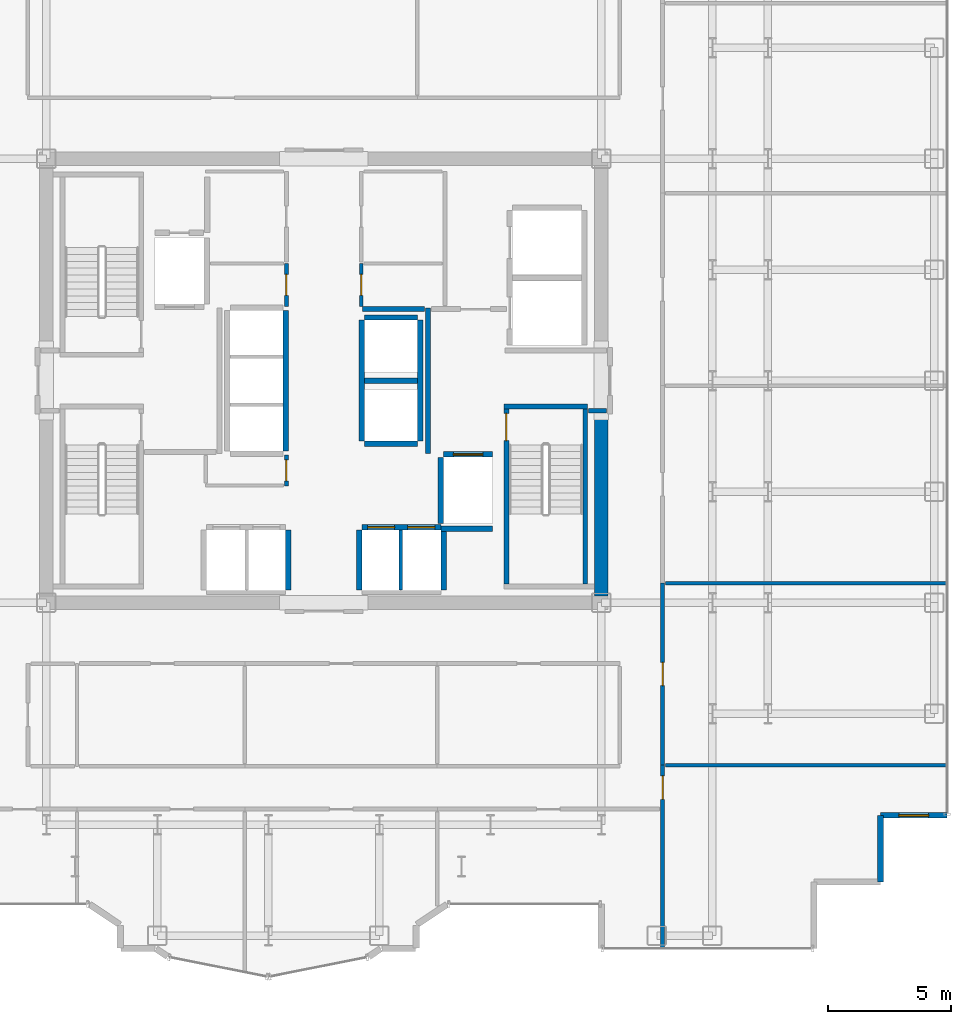
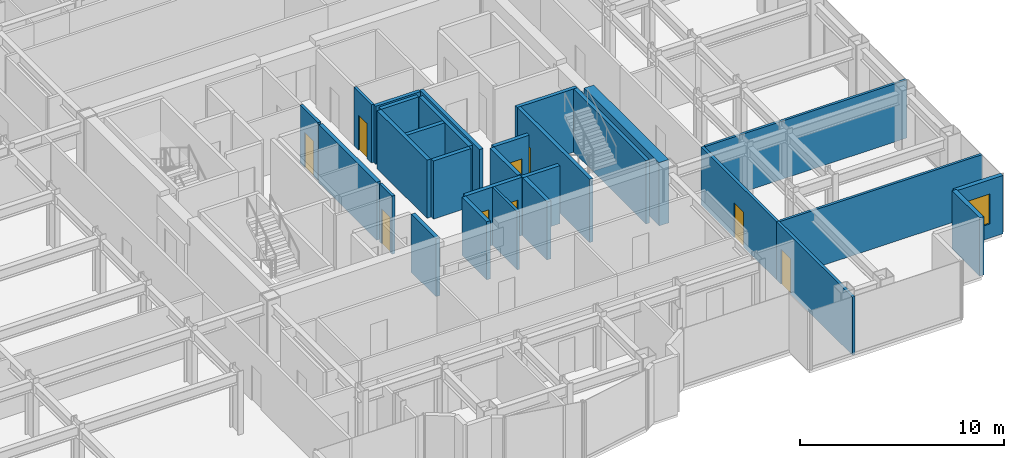
# One storey, part 19 of 23: 30 walls, 9 doors, 1 window, 10 openings.
"""IFC4 building model written with IfcOpenShell, lengths in metres."""

from ifc_helpers import new_model, si_unit, direction, frame, frame_2d, origin, place, context, subcontext, project, spatial, rectangle, extrude, source, transform, mapped, material, layer, layer_set, type_object, element, fill, save


model = new_model("IFC4")

# Units and contexts
model_context = context("Model", 3, precision=1e-05, world=origin(), true_north=direction((0.0, 1.0)))
body_context = subcontext(model_context, "Body", "Model", "MODEL_VIEW")
ifc_project = project(units=[si_unit("LENGTHUNIT", "METRE"), si_unit("AREAUNIT", "SQUARE_METRE"), si_unit("VOLUMEUNIT", "CUBIC_METRE"), si_unit("PLANEANGLEUNIT", "RADIAN"), si_unit("MASSUNIT", "GRAM", prefix="KILO")], contexts=[model_context])

# Site, building, storey
site_placement = place(None, origin())
site = spatial("IfcSite", under=ifc_project, at=site_placement, CompositionType="ELEMENT")
building_placement = place(site_placement, origin())
building = spatial("IfcBuilding", under=site, at=building_placement, Name="Nefas-Gora Pilgrimage Tower", CompositionType="ELEMENT")
storey_placement = place(building_placement, frame((0.0, 0.0, 198.199951171875)))
storey = spatial("IfcBuildingStorey", under=building, at=storey_placement, Name="L49", CompositionType="ELEMENT", Elevation=198.199951171875)

# Walls
ifc_material_1 = material(Name="Concrete C60/75", Category="concrete")
ifc_layer_1 = layer(ifc_material_1, 0.550048828125)
ifc_layer_set_1 = layer_set([ifc_layer_1], Name="Concrete C60/75")
wall_type_1 = type_object("IfcWallType", Name="SW-CORE-550", PredefinedType="SHEAR", material=ifc_layer_set_1)
shared_shape_1 = source(origin(), body_context, "Body", "SweptSolid", [
    extrude(rectangle(XDim=7.375, YDim=0.550048828125, at=frame_2d((3.6875, 0.0))), origin(), (0.0, 0.0, 1.0), 3.800048828125),
])
wall_1_placement = place(storey_placement, frame((11.25, -8.72509765625, 0.0), z_axis=(0.0, 0.0, 1.0), x_axis=(0.0, 1.0, 0.0)))
element("IfcWall", 1, at=wall_1_placement, inside=storey, type_object=wall_type_1, Name="L49 Core Shear Wall E-South", PredefinedType="SHEAR", context=body_context, shape_type="MappedRepresentation", body=[
    mapped(shared_shape_1, transform((0.0, 0.0, 0.0), x_axis=(1.0, 0.0, 0.0), y_axis=(0.0, 1.0, 0.0), z_axis=(0.0, 0.0, 1.0), scale=1.0)),
])
ifc_material_2 = material(Name="Precast concrete C45/55", Category="concrete")
ifc_layer_2 = layer(ifc_material_2, 0.239990234375)
ifc_layer_set_2 = layer_set([ifc_layer_2], Name="Precast concrete C45/55")
wall_type_2 = type_object("IfcWallType", Name="EW-SERR-240", PredefinedType="SHEAR", material=ifc_layer_set_2)
shared_shape_2 = source(origin(), body_context, "Body", "SweptSolid", [
    extrude(rectangle(XDim=2.699951171875, YDim=0.239990234375, at=frame_2d((1.35009765625, 0.0))), origin(), (0.0, 0.0, 1.0), 3.5),
])
wall_2_placement = place(storey_placement, frame((22.570068359375, -20.320068359375, 0.0), z_axis=(0.0, 0.0, 1.0), x_axis=(0.0, 1.0, 0.0)))
element("IfcWall", 2, at=wall_2_placement, inside=storey, type_object=wall_type_2, Name="L49 Serrated Corner Shear Pier Wall 4", PredefinedType="SHEAR", context=body_context, shape_type="MappedRepresentation", body=[
    mapped(shared_shape_2, transform((0.0, 0.0, 0.0), x_axis=(1.0, 0.0, 0.0), y_axis=(0.0, 1.0, 0.0), z_axis=(0.0, 0.0, 1.0), scale=1.0)),
])

# Wall, opening, window
wall_3_placement = place(storey_placement, frame((22.570068359375, -17.6201171875, 0.0), z_axis=(0.0, 0.0, 1.0), x_axis=(1.0, 0.0, 0.0)))
wall_3 = element("IfcWall", 3, at=wall_3_placement, inside=storey, type_object=wall_type_2, Name="L49 Serrated Corner Shear Pier Wall 5", PredefinedType="SHEAR", context=body_context, shape_type="MappedRepresentation", body=[
    mapped(shared_shape_2, transform((0.0, 0.0, 0.0), x_axis=(1.0, 0.0, 0.0), y_axis=(0.0, 1.0, 0.0), z_axis=(0.0, 0.0, 1.0), scale=1.0)),
])
opening_1_placement = place(wall_3_placement, frame((0.75, 0.0, 0.85009765625)))
opening_1 = element("IfcOpeningElement", 4, at=opening_1_placement, cuts=wall_3, Name="Opening W-V1", PredefinedType="OPENING", context=body_context, shape_type="SweptSolid", body=[
    extrude(rectangle(XDim=1.199951171875, YDim=1.800048828125, at=frame_2d((0.60009765625, 0.89990234375))), frame((0.0, 0.1298828125, 0.0), z_axis=(0.0, -1.0, 0.0), x_axis=(1.0, 0.0, 0.0)), (0.0, 0.0, 1.0), 0.260009765625),
])
ifc_material_3 = material(Name="Dark ceramic-fritted operable aluminium-glass window", Category="aluminium")
window_type = type_object("IfcWindowType", Name="WIN-VENT-1200x1800", PartitioningType="SINGLE_PANEL", PredefinedType="WINDOW", material=ifc_material_3)
shared_shape_3 = source(origin(), body_context, "Body", "SweptSolid", [
    extrude(rectangle(XDim=1.199951171875, YDim=1.800048828125, at=frame_2d((0.60009765625, 0.89990234375))), frame((0.0, 0.030029296875, 0.0), z_axis=(0.0, -1.0, 0.0), x_axis=(1.0, 0.0, 0.0)), (0.0, 0.0, 1.0), 0.06005859375),
])
window_placement = place(opening_1_placement, origin())
window = element("IfcWindow", 5, at=window_placement, inside=storey, type_object=window_type, Name="L49 Operable Parallel-Outswing Window 5", OverallHeight=1.800048828125, OverallWidth=1.199951171875, PartitioningType="SINGLE_PANEL", PredefinedType="WINDOW", context=body_context, shape_type="MappedRepresentation", body=[
    mapped(shared_shape_3, transform((0.0, 0.0, 0.0), x_axis=(1.0, 0.0, 0.0), y_axis=(0.0, 1.0, 0.0), z_axis=(0.0, 0.0, 1.0), scale=1.0)),
])
fill(opening_1, window)

# Wall
ifc_material_4 = material(Name="Concrete C45/55", Category="concrete")
ifc_layer_3 = layer(ifc_material_4, 0.199951171875)
ifc_layer_set_3 = layer_set([ifc_layer_3], Name="Concrete C45/55")
wall_type_3 = type_object("IfcWallType", Name="IW-STAIR-200", PredefinedType="SOLIDWALL", material=ifc_layer_set_3)
shared_shape_4 = source(origin(), body_context, "Body", "SweptSolid", [
    extrude(rectangle(XDim=3.39990234375, YDim=0.199951171875, at=frame_2d((1.699951171875, 0.0))), origin(), (0.0, 0.0, 1.0), 3.800048828125),
])
wall_4_placement = place(storey_placement, frame((7.300048828125, -1.050048828125, 0.0), z_axis=(0.0, 0.0, 1.0), x_axis=(1.0, 0.0, 0.0)))
element("IfcWall", 6, at=wall_4_placement, inside=storey, type_object=wall_type_3, Name="L49 Stairwell Shear Wall ST-02-near", PredefinedType="SOLIDWALL", context=body_context, shape_type="MappedRepresentation", body=[
    mapped(shared_shape_4, transform((0.0, 0.0, 0.0), x_axis=(1.0, 0.0, 0.0), y_axis=(0.0, 1.0, 0.0), z_axis=(0.0, 0.0, 1.0), scale=1.0)),
])

# Wall, opening, door
shared_shape_5 = source(origin(), body_context, "Body", "SweptSolid", [
    extrude(rectangle(XDim=7.10009765625, YDim=0.199951171875, at=frame_2d((3.550048828125, 0.0))), origin(), (0.0, 0.0, 1.0), 3.800048828125),
])
wall_5_placement = place(storey_placement, frame((7.39990234375, -1.14990234375, 0.0), z_axis=(0.0, 0.0, 1.0), x_axis=(0.0, -1.0, 0.0)))
wall_5 = element("IfcWall", 7, at=wall_5_placement, inside=storey, type_object=wall_type_3, Name="L49 Stairwell Shear Wall ST-02-left", PredefinedType="SOLIDWALL", context=body_context, shape_type="MappedRepresentation", body=[
    mapped(shared_shape_5, transform((0.0, 0.0, 0.0), x_axis=(1.0, 0.0, 0.0), y_axis=(0.0, 1.0, 0.0), z_axis=(0.0, 0.0, 1.0), scale=1.0)),
])
opening_2_placement = place(wall_5_placement, frame((0.179931640625, 0.0, 0.0)))
opening_2 = element("IfcOpeningElement", 8, at=opening_2_placement, cuts=wall_5, Name="Opening ID-ST1", PredefinedType="OPENING", context=body_context, shape_type="SweptSolid", body=[
    extrude(rectangle(XDim=1.10009765625, YDim=2.14990234375, at=frame_2d((0.550048828125, 1.074951171875))), frame((0.0, 0.10986328125, 0.0), z_axis=(0.0, -1.0, 0.0), x_axis=(1.0, 0.0, 0.0)), (0.0, 0.0, 1.0), 0.219970703125),
])
ifc_material_5 = material(Name="Painted galvanised steel fire stair door", Category="steel")
door_type_1 = type_object("IfcDoorType", Name="DR-INT-STAIR-1100", OperationType="NOTDEFINED", PredefinedType="DOOR", material=ifc_material_5)
shared_shape_6 = source(origin(), body_context, "Body", "SweptSolid", [
    extrude(rectangle(XDim=1.10009765625, YDim=2.14990234375, at=frame_2d((0.550048828125, 1.074951171875))), frame((0.0, 0.02490234375, 0.0), z_axis=(0.0, -1.0, 0.0), x_axis=(1.0, 0.0, 0.0)), (0.0, 0.0, 1.0), 0.050048828125),
])
door_1_placement = place(opening_2_placement, origin())
door_1 = element("IfcDoor", 9, at=door_1_placement, inside=storey, type_object=door_type_1, Name="L49 Protected Exit Stair Door ST-02", OperationType="SINGLE_SWING_RIGHT", OverallHeight=2.14990234375, OverallWidth=1.10009765625, PredefinedType="DOOR", context=body_context, shape_type="MappedRepresentation", body=[
    mapped(shared_shape_6, transform((0.0, 0.0, 0.0), x_axis=(1.0, 0.0, 0.0), y_axis=(0.0, 1.0, 0.0), z_axis=(0.0, 0.0, 1.0), scale=1.0)),
])
fill(opening_2, door_1)

# Wall
wall_6_placement = place(storey_placement, frame((10.60009765625, -1.14990234375, 0.0), z_axis=(0.0, 0.0, 1.0), x_axis=(0.0, -1.0, 0.0)))
element("IfcWall", 10, at=wall_6_placement, inside=storey, type_object=wall_type_3, Name="L49 Stairwell Shear Wall ST-02-right", PredefinedType="SOLIDWALL", context=body_context, shape_type="MappedRepresentation", body=[
    mapped(shared_shape_5, transform((0.0, 0.0, 0.0), x_axis=(1.0, 0.0, 0.0), y_axis=(0.0, 1.0, 0.0), z_axis=(0.0, 0.0, 1.0), scale=1.0)),
])

# Wall, opening, door
ifc_material_6 = material(Name="Concrete C40/50", Category="concrete")
ifc_layer_4 = layer(ifc_material_6, 0.219970703125)
ifc_layer_set_4 = layer_set([ifc_layer_4], Name="Concrete C40/50")
wall_type_4 = type_object("IfcWallType", Name="IW-SHAFT-220", PredefinedType="SOLIDWALL", material=ifc_layer_set_4)
shared_shape_7 = source(origin(), body_context, "Body", "SweptSolid", [
    extrude(rectangle(XDim=2.0, YDim=0.219970703125, at=frame_2d((1.0, 0.0))), origin(), (0.0, 0.0, 1.0), 3.485107421875),
])
wall_7_placement = place(storey_placement, frame((6.85009765625, -2.989990234375, 0.0), z_axis=(0.0, 0.0, 1.0), x_axis=(-1.0, 0.0, 0.0)))
wall_7 = element("IfcWall", 11, at=wall_7_placement, inside=storey, type_object=wall_type_4, Name="L49 Hoistway Wall FFL-02-N", PredefinedType="SOLIDWALL", context=body_context, shape_type="MappedRepresentation", body=[
    mapped(shared_shape_7, transform((0.0, 0.0, 0.0), x_axis=(1.0, 0.0, 0.0), y_axis=(0.0, 1.0, 0.0), z_axis=(0.0, 0.0, 1.0), scale=1.0)),
])
opening_3_placement = place(wall_7_placement, frame((0.39990234375, 0.0, 0.0)))
opening_3 = element("IfcOpeningElement", 12, at=opening_3_placement, cuts=wall_7, Name="Opening LD-FF", PredefinedType="OPENING", context=body_context, shape_type="SweptSolid", body=[
    extrude(rectangle(XDim=1.199951171875, YDim=2.199951171875, at=frame_2d((0.60009765625, 1.10009765625))), frame((0.0, 0.119873046875, 0.0), z_axis=(0.0, -1.0, 0.0), x_axis=(1.0, 0.0, 0.0)), (0.0, 0.0, 1.0), 0.239990234375),
])
ifc_material_7 = material(Name="Fire-service sliding lift landing door")
door_type_2 = type_object("IfcDoorType", Name="DR-LIFT-FSAE-1200", OperationType="SLIDING_TO_LEFT", PredefinedType="DOOR", material=ifc_material_7)
shared_shape_8 = source(origin(), body_context, "Body", "SweptSolid", [
    extrude(rectangle(XDim=1.199951171875, YDim=2.199951171875, at=frame_2d((0.60009765625, 1.10009765625))), frame((0.0, 0.02490234375, 0.0), z_axis=(0.0, -1.0, 0.0), x_axis=(1.0, 0.0, 0.0)), (0.0, 0.0, 1.0), 0.050048828125),
])
door_2_placement = place(opening_3_placement, origin())
door_2 = element("IfcDoor", 13, at=door_2_placement, inside=storey, type_object=door_type_2, Name="L49 Sliding Lift Landing Door FFL-02", OperationType="SLIDING_TO_LEFT", OverallHeight=2.199951171875, OverallWidth=1.199951171875, PredefinedType="DOOR", context=body_context, shape_type="MappedRepresentation", body=[
    mapped(shared_shape_8, transform((0.0, 0.0, 0.0), x_axis=(1.0, 0.0, 0.0), y_axis=(0.0, 1.0, 0.0), z_axis=(0.0, 0.0, 1.0), scale=1.0)),
])
fill(opening_3, door_2)

# Wall
shared_shape_9 = source(origin(), body_context, "Body", "SweptSolid", [
    extrude(rectangle(XDim=2.679931640625, YDim=0.219970703125, at=frame_2d((1.33984375, 0.0))), origin(), (0.0, 0.0, 1.0), 3.485107421875),
])
wall_8_placement = place(storey_placement, frame((4.739990234375, -3.110107421875, 0.0), z_axis=(0.0, 0.0, 1.0), x_axis=(0.0, -1.0, 0.0)))
element("IfcWall", 14, at=wall_8_placement, inside=storey, type_object=wall_type_4, Name="L49 Hoistway Wall FFL-02-W", PredefinedType="SOLIDWALL", context=body_context, shape_type="MappedRepresentation", body=[
    mapped(shared_shape_9, transform((0.0, 0.0, 0.0), x_axis=(1.0, 0.0, 0.0), y_axis=(0.0, 1.0, 0.0), z_axis=(0.0, 0.0, 1.0), scale=1.0)),
])

# Wall, openings, doors
shared_shape_10 = source(origin(), body_context, "Body", "SweptSolid", [
    extrude(rectangle(XDim=3.199951171875, YDim=0.219970703125, at=frame_2d((1.60009765625, 0.0))), origin(), (0.0, 0.0, 1.0), 3.485107421875),
])
wall_9_placement = place(storey_placement, frame((4.75, -5.93994140625, 0.0), z_axis=(0.0, 0.0, 1.0), x_axis=(-1.0, 0.0, 0.0)))
wall_9 = element("IfcWall", 15, at=wall_9_placement, inside=storey, type_object=wall_type_4, Name="L49 Hoistway Wall PL2-E-N", PredefinedType="SOLIDWALL", context=body_context, shape_type="MappedRepresentation", body=[
    mapped(shared_shape_10, transform((0.0, 0.0, 0.0), x_axis=(1.0, 0.0, 0.0), y_axis=(0.0, 1.0, 0.0), z_axis=(0.0, 0.0, 1.0), scale=1.0)),
])
opening_4_placement = place(wall_9_placement, frame((1.875, 0.0, 0.0)))
opening_4 = element("IfcOpeningElement", 16, at=opening_4_placement, cuts=wall_9, Name="Opening LD-01", PredefinedType="OPENING", context=body_context, shape_type="SweptSolid", body=[
    extrude(rectangle(XDim=1.10009765625, YDim=2.199951171875, at=frame_2d((0.550048828125, 1.10009765625))), frame((0.0, 0.119873046875, 0.0), z_axis=(0.0, -1.0, 0.0), x_axis=(1.0, 0.0, 0.0)), (0.0, 0.0, 1.0), 0.239990234375),
])
opening_5_placement = place(wall_9_placement, frame((0.25, 0.0, 0.0)))
opening_5 = element("IfcOpeningElement", 17, at=opening_5_placement, cuts=wall_9, Name="Opening LD-01", PredefinedType="OPENING", context=body_context, shape_type="SweptSolid", body=[
    extrude(rectangle(XDim=1.10009765625, YDim=2.199951171875, at=frame_2d((0.550048828125, 1.10009765625))), frame((0.0, 0.119873046875, 0.0), z_axis=(0.0, -1.0, 0.0), x_axis=(1.0, 0.0, 0.0)), (0.0, 0.0, 1.0), 0.239990234375),
])
ifc_material_8 = material(Name="Brushed stainless sliding lift landing door")
door_type_3 = type_object("IfcDoorType", Name="DR-LIFT-PASS-1100", OperationType="DOUBLE_DOOR_SLIDING", PredefinedType="DOOR", material=ifc_material_8)
shared_shape_11 = source(origin(), body_context, "Body", "SweptSolid", [
    extrude(rectangle(XDim=1.10009765625, YDim=2.199951171875, at=frame_2d((0.550048828125, 1.10009765625))), frame((0.0, 0.02490234375, 0.0), z_axis=(0.0, -1.0, 0.0), x_axis=(1.0, 0.0, 0.0)), (0.0, 0.0, 1.0), 0.050048828125),
])
door_3_placement = place(opening_4_placement, origin())
door_3 = element("IfcDoor", 18, at=door_3_placement, inside=storey, type_object=door_type_3, Name="L49 Sliding Lift Landing Door PL2-03", OperationType="DOUBLE_DOOR_SLIDING", OverallHeight=2.199951171875, OverallWidth=1.10009765625, PredefinedType="DOOR", context=body_context, shape_type="MappedRepresentation", body=[
    mapped(shared_shape_11, transform((0.0, 0.0, 0.0), x_axis=(1.0, 0.0, 0.0), y_axis=(0.0, 1.0, 0.0), z_axis=(0.0, 0.0, 1.0), scale=1.0)),
])
fill(opening_4, door_3)
door_4_placement = place(opening_5_placement, origin())
door_4 = element("IfcDoor", 19, at=door_4_placement, inside=storey, type_object=door_type_3, Name="L49 Sliding Lift Landing Door PL2-04", OperationType="DOUBLE_DOOR_SLIDING", OverallHeight=2.199951171875, OverallWidth=1.10009765625, PredefinedType="DOOR", context=body_context, shape_type="MappedRepresentation", body=[
    mapped(shared_shape_11, transform((0.0, 0.0, 0.0), x_axis=(1.0, 0.0, 0.0), y_axis=(0.0, 1.0, 0.0), z_axis=(0.0, 0.0, 1.0), scale=1.0)),
])
fill(opening_5, door_4)

# Walls
shared_shape_12 = source(origin(), body_context, "Body", "SweptSolid", [
    extrude(rectangle(XDim=2.429931640625, YDim=0.219970703125, at=frame_2d((1.21484375, 0.0))), origin(), (0.0, 0.0, 1.0), 3.485107421875),
])
for number, where, z_axis, x_axis, name in (
    (20, (-1.43994140625, -8.489990234375, 0.0), (0.0, 0.0, 1.0), (0.0, 1.0, 0.0), "L49 Hoistway Wall PL2-W-E"),
    (21, (1.43994140625, -6.06005859375, 0.0), (0.0, 0.0, 1.0), (0.0, -1.0, 0.0), "L49 Hoistway Wall PL2-E-W"),
    (22, (4.860107421875, -8.489990234375, 0.0), (0.0, 0.0, 1.0), (0.0, 1.0, 0.0), "L49 Hoistway Wall PL2-E-E"),
):
    element("IfcWall", number, at=place(storey_placement, frame(where, z_axis=z_axis, x_axis=x_axis)), inside=storey, type_object=wall_type_4, Name=name, PredefinedType="SOLIDWALL", context=body_context, shape_type="MappedRepresentation", body=[
        mapped(shared_shape_12, transform((0.0, 0.0, 0.0), x_axis=(1.0, 0.0, 0.0), y_axis=(0.0, 1.0, 0.0), z_axis=(0.0, 0.0, 1.0), scale=1.0)),
    ])
ifc_material_9 = material(Name="Gypsum twin-stud partition")
ifc_layer_5 = layer(ifc_material_9, 0.139892578125)
ifc_layer_set_5 = layer_set([ifc_layer_5], Name="Gypsum twin-stud partition")
wall_type_5 = type_object("IfcWallType", Name="IW-UNIT-140", PredefinedType="PARTITIONING", material=ifc_layer_set_5)
shared_shape_13 = source(origin(), body_context, "Body", "SweptSolid", [
    extrude(rectangle(XDim=2.429931640625, YDim=0.139892578125, at=frame_2d((1.21484375, 0.0))), origin(), (0.0, 0.0, 1.0), 3.485107421875),
])
wall_10_placement = place(storey_placement, frame((3.125, -8.489990234375, 0.0), z_axis=(0.0, 0.0, 1.0), x_axis=(0.0, 1.0, 0.0)))
element("IfcWall", 23, at=wall_10_placement, inside=storey, type_object=wall_type_5, Name="L49 Hoistway Wall PL2-E-DIV", PredefinedType="PARTITIONING", context=body_context, shape_type="MappedRepresentation", body=[
    mapped(shared_shape_13, transform((0.0, 0.0, 0.0), x_axis=(1.0, 0.0, 0.0), y_axis=(0.0, 1.0, 0.0), z_axis=(0.0, 0.0, 1.0), scale=1.0)),
])
shared_shape_14 = source(origin(), body_context, "Body", "SweptSolid", [
    extrude(rectangle(XDim=5.7001953125, YDim=0.219970703125, at=frame_2d((2.85009765625, 0.0))), origin(), (0.0, 0.0, 1.0), 3.485107421875),
])
wall_11_placement = place(storey_placement, frame((-1.5400390625, -2.85009765625, 0.0), z_axis=(0.0, 0.0, 1.0), x_axis=(0.0, 1.0, 0.0)))
element("IfcWall", 24, at=wall_11_placement, inside=storey, type_object=wall_type_4, Name="L49 Hoistway Wall PL3-01-03-E", PredefinedType="SOLIDWALL", context=body_context, shape_type="MappedRepresentation", body=[
    mapped(shared_shape_14, transform((0.0, 0.0, 0.0), x_axis=(1.0, 0.0, 0.0), y_axis=(0.0, 1.0, 0.0), z_axis=(0.0, 0.0, 1.0), scale=1.0)),
])
shared_shape_15 = source(origin(), body_context, "Body", "SweptSolid", [
    extrude(rectangle(XDim=2.130126953125, YDim=0.219970703125, at=frame_2d((1.06494140625, 0.0))), origin(), (0.0, 0.0, 1.0), 3.485107421875),
])
for number, where, z_axis, x_axis, name in (
    (25, (1.659912109375, -2.56005859375, 0.0), (0.0, 0.0, 1.0), (1.0, 0.0, 0.0), "L49 Hoistway Wall OBS-01-S"),
    (26, (1.659912109375, 0.0, 0.0), (0.0, 0.0, 1.0), (1.0, 0.0, 0.0), "L49 Hoistway Wall OBS-01-02-DIV"),
    (27, (3.7900390625, 2.56005859375, 0.0), (0.0, 0.0, 1.0), (-1.0, 0.0, 0.0), "L49 Hoistway Wall OBS-02-N"),
):
    element("IfcWall", number, at=place(storey_placement, frame(where, z_axis=z_axis, x_axis=x_axis)), inside=storey, type_object=wall_type_4, Name=name, PredefinedType="SOLIDWALL", context=body_context, shape_type="MappedRepresentation", body=[
        mapped(shared_shape_15, transform((0.0, 0.0, 0.0), x_axis=(1.0, 0.0, 0.0), y_axis=(0.0, 1.0, 0.0), z_axis=(0.0, 0.0, 1.0), scale=1.0)),
    ])
shared_shape_16 = source(origin(), body_context, "Body", "SweptSolid", [
    extrude(rectangle(XDim=4.89990234375, YDim=0.219970703125, at=frame_2d((2.449951171875, 0.0))), origin(), (0.0, 0.0, 1.0), 3.485107421875),
])
for number, where, z_axis, x_axis, name in (
    (28, (1.5400390625, 2.449951171875, 0.0), (0.0, 0.0, 1.0), (0.0, -1.0, 0.0), "L49 Hoistway Wall OBS-01-02-W"),
    (29, (3.909912109375, -2.449951171875, 0.0), (0.0, 0.0, 1.0), (0.0, 1.0, 0.0), "L49 Hoistway Wall OBS-01-02-E"),
):
    element("IfcWall", number, at=place(storey_placement, frame(where, z_axis=z_axis, x_axis=x_axis)), inside=storey, type_object=wall_type_4, Name=name, PredefinedType="SOLIDWALL", context=body_context, shape_type="MappedRepresentation", body=[
        mapped(shared_shape_16, transform((0.0, 0.0, 0.0), x_axis=(1.0, 0.0, 0.0), y_axis=(0.0, 1.0, 0.0), z_axis=(0.0, 0.0, 1.0), scale=1.0)),
    ])
shared_shape_17 = source(origin(), body_context, "Body", "SweptSolid", [
    extrude(rectangle(XDim=2.09521484375, YDim=0.219970703125, at=frame_2d((1.047607421875, 0.0))), origin(), (0.0, 0.0, 1.0), 3.485107421875),
])
wall_12_placement = place(storey_placement, frame((4.7548828125, -6.0, 0.0), z_axis=(0.0, 0.0, 1.0), x_axis=(1.0, 0.0, 0.0)))
element("IfcWall", 30, at=wall_12_placement, inside=storey, type_object=wall_type_4, Name="L49 Riser Shaft Wall 3", PredefinedType="SOLIDWALL", context=body_context, shape_type="MappedRepresentation", body=[
    mapped(shared_shape_17, transform((0.0, 0.0, 0.0), x_axis=(1.0, 0.0, 0.0), y_axis=(0.0, 1.0, 0.0), z_axis=(0.0, 0.0, 1.0), scale=1.0)),
])
ifc_material_10 = material(Name="Gypsum fire-rated shaftwall")
ifc_layer_6 = layer(ifc_material_10, 0.199951171875)
ifc_layer_set_6 = layer_set([ifc_layer_6], Name="Gypsum fire-rated shaftwall")
wall_type_6 = type_object("IfcWallType", Name="IW-FFLOB-200", PredefinedType="PARTITIONING", material=ifc_layer_set_6)
shared_shape_18 = source(origin(), body_context, "Body", "SweptSolid", [
    extrude(rectangle(XDim=5.89990234375, YDim=0.199951171875, at=frame_2d((2.949951171875, 0.0))), origin(), (0.0, 0.0, 1.0), 3.485107421875),
])
wall_13_placement = place(storey_placement, frame((4.219970703125, -2.949951171875, 0.0), z_axis=(0.0, 0.0, 1.0), x_axis=(0.0, 1.0, 0.0)))
element("IfcWall", 31, at=wall_13_placement, inside=storey, type_object=wall_type_6, Name="L49 FF Lobby East Inner Wall Wall 10", PredefinedType="PARTITIONING", context=body_context, shape_type="MappedRepresentation", body=[
    mapped(shared_shape_18, transform((0.0, 0.0, 0.0), x_axis=(1.0, 0.0, 0.0), y_axis=(0.0, 1.0, 0.0), z_axis=(0.0, 0.0, 1.0), scale=1.0)),
])
shared_shape_19 = source(origin(), body_context, "Body", "SweptSolid", [
    extrude(rectangle(XDim=0.719970703125, YDim=0.199951171875, at=frame_2d((0.35986328125, 0.0))), origin(), (0.0, 0.0, 1.0), 3.485107421875),
])
wall_14_placement = place(storey_placement, frame((10.739990234375, -1.219970703125, 0.0), z_axis=(0.0, 0.0, 1.0), x_axis=(1.0, 0.0, 0.0)))
element("IfcWall", 32, at=wall_14_placement, inside=storey, type_object=wall_type_6, Name="L49 FF Lobby East Throat S Wall 14", PredefinedType="PARTITIONING", context=body_context, shape_type="MappedRepresentation", body=[
    mapped(shared_shape_19, transform((0.0, 0.0, 0.0), x_axis=(1.0, 0.0, 0.0), y_axis=(0.0, 1.0, 0.0), z_axis=(0.0, 0.0, 1.0), scale=1.0)),
])

# Wall, opening, door
ifc_material_11 = material(Name="Gypsum acoustic stud partition")
ifc_layer_7 = layer(ifc_material_11, 0.159912109375)
ifc_layer_set_7 = layer_set([ifc_layer_7], Name="Gypsum acoustic stud partition")
wall_type_7 = type_object("IfcWallType", Name="IW-CORR-160", PredefinedType="PARTITIONING", material=ifc_layer_set_7)
shared_shape_20 = source(origin(), body_context, "Body", "SweptSolid", [
    extrude(rectangle(XDim=1.25, YDim=0.159912109375, at=frame_2d((0.625, 0.0))), origin(), (0.0, 0.0, 1.0), 3.485107421875),
])
wall_15_placement = place(storey_placement, frame((-1.52001953125, -4.260009765625, 0.0), z_axis=(0.0, 0.0, 1.0), x_axis=(0.0, 1.0, 0.0)))
wall_15 = element("IfcWall", 33, at=wall_15_placement, inside=storey, type_object=wall_type_7, Name="L49 Guest Self-Service Laundry Room Wall 26", PredefinedType="PARTITIONING", context=body_context, shape_type="MappedRepresentation", body=[
    mapped(shared_shape_20, transform((0.0, 0.0, 0.0), x_axis=(1.0, 0.0, 0.0), y_axis=(0.0, 1.0, 0.0), z_axis=(0.0, 0.0, 1.0), scale=1.0)),
])
opening_6_placement = place(wall_15_placement, frame((0.199951171875, 0.0, 0.0)))
opening_6 = element("IfcOpeningElement", 34, at=opening_6_placement, cuts=wall_15, Name="Opening ID-BT1", PredefinedType="OPENING", context=body_context, shape_type="SweptSolid", body=[
    extrude(rectangle(XDim=0.85009765625, YDim=2.10009765625, at=frame_2d((0.425048828125, 1.050048828125))), frame((0.0, 0.08984375, 0.0), z_axis=(0.0, -1.0, 0.0), x_axis=(1.0, 0.0, 0.0)), (0.0, 0.0, 1.0), 0.179931640625),
])
ifc_material_12 = material(Name="Moisture-resistant fire-rated timber door", Category="wood")
door_type_4 = type_object("IfcDoorType", Name="DR-INT-BATH-850", OperationType="NOTDEFINED", PredefinedType="DOOR", material=ifc_material_12)
shared_shape_21 = source(origin(), body_context, "Body", "SweptSolid", [
    extrude(rectangle(XDim=0.85009765625, YDim=2.10009765625, at=frame_2d((0.425048828125, 1.050048828125))), frame((0.0, 0.02490234375, 0.0), z_axis=(0.0, -1.0, 0.0), x_axis=(1.0, 0.0, 0.0)), (0.0, 0.0, 1.0), 0.050048828125),
])
door_5_placement = place(opening_6_placement, origin())
door_5 = element("IfcDoor", 35, at=door_5_placement, inside=storey, type_object=door_type_4, Name="L49 Guest Self-Service Laundry Room Door 11", OperationType="SINGLE_SWING_RIGHT", OverallHeight=2.10009765625, OverallWidth=0.85009765625, PredefinedType="DOOR", context=body_context, shape_type="MappedRepresentation", body=[
    mapped(shared_shape_21, transform((0.0, 0.0, 0.0), x_axis=(1.0, 0.0, 0.0), y_axis=(0.0, 1.0, 0.0), z_axis=(0.0, 0.0, 1.0), scale=1.0)),
])
fill(opening_6, door_5)

# Wall
shared_shape_22 = source(origin(), body_context, "Body", "SweptSolid", [
    extrude(rectangle(XDim=2.52001953125, YDim=0.199951171875, at=frame_2d((1.260009765625, 0.0))), origin(), (0.0, 0.0, 1.0), 3.485107421875),
])
wall_16_placement = place(storey_placement, frame((1.56005859375, 2.89990234375, 0.0), z_axis=(0.0, 0.0, 1.0), x_axis=(1.0, 0.0, 0.0)))
element("IfcWall", 36, at=wall_16_placement, inside=storey, type_object=wall_type_6, Name="L49 FF Lobby East North Wall Wall 11", PredefinedType="PARTITIONING", context=body_context, shape_type="MappedRepresentation", body=[
    mapped(shared_shape_22, transform((0.0, 0.0, 0.0), x_axis=(1.0, 0.0, 0.0), y_axis=(0.0, 1.0, 0.0), z_axis=(0.0, 0.0, 1.0), scale=1.0)),
])

# Wall, opening, door
shared_shape_23 = source(origin(), body_context, "Body", "SweptSolid", [
    extrude(rectangle(XDim=1.75, YDim=0.159912109375, at=frame_2d((0.875, 0.0))), origin(), (0.0, 0.0, 1.0), 3.485107421875),
])
wall_17_placement = place(storey_placement, frame((-1.52001953125, 3.010009765625, 0.0), z_axis=(0.0, 0.0, 1.0), x_axis=(0.0, 1.0, 0.0)))
wall_17 = element("IfcWall", 37, at=wall_17_placement, inside=storey, type_object=wall_type_7, Name="L49 Housekeeping and Linen Store Wall 18", PredefinedType="PARTITIONING", context=body_context, shape_type="MappedRepresentation", body=[
    mapped(shared_shape_23, transform((0.0, 0.0, 0.0), x_axis=(1.0, 0.0, 0.0), y_axis=(0.0, 1.0, 0.0), z_axis=(0.0, 0.0, 1.0), scale=1.0)),
])
opening_7_placement = place(wall_17_placement, frame((0.449951171875, 0.0, 0.0)))
opening_7 = element("IfcOpeningElement", 38, at=opening_7_placement, cuts=wall_17, Name="Opening ID-BT1", PredefinedType="OPENING", context=body_context, shape_type="SweptSolid", body=[
    extrude(rectangle(XDim=0.85009765625, YDim=2.10009765625, at=frame_2d((0.425048828125, 1.050048828125))), frame((0.0, 0.08984375, 0.0), z_axis=(0.0, -1.0, 0.0), x_axis=(1.0, 0.0, 0.0)), (0.0, 0.0, 1.0), 0.179931640625),
])
door_6_placement = place(opening_7_placement, origin())
door_6 = element("IfcDoor", 39, at=door_6_placement, inside=storey, type_object=door_type_4, Name="L49 Housekeeping and Linen Store Door 7", OperationType="SINGLE_SWING_RIGHT", OverallHeight=2.10009765625, OverallWidth=0.85009765625, PredefinedType="DOOR", context=body_context, shape_type="MappedRepresentation", body=[
    mapped(shared_shape_21, transform((0.0, 0.0, 0.0), x_axis=(1.0, 0.0, 0.0), y_axis=(0.0, 1.0, 0.0), z_axis=(0.0, 0.0, 1.0), scale=1.0)),
])
fill(opening_7, door_6)

wall_18_placement = place(storey_placement, frame((1.52001953125, 3.010009765625, 0.0), z_axis=(0.0, 0.0, 1.0), x_axis=(0.0, 1.0, 0.0)))
wall_18 = element("IfcWall", 40, at=wall_18_placement, inside=storey, type_object=wall_type_7, Name="L49 Clean Blanket and Robe Store Wall 22", PredefinedType="PARTITIONING", context=body_context, shape_type="MappedRepresentation", body=[
    mapped(shared_shape_23, transform((0.0, 0.0, 0.0), x_axis=(1.0, 0.0, 0.0), y_axis=(0.0, 1.0, 0.0), z_axis=(0.0, 0.0, 1.0), scale=1.0)),
])
opening_8_placement = place(wall_18_placement, frame((0.449951171875, 0.0, 0.0)))
opening_8 = element("IfcOpeningElement", 41, at=opening_8_placement, cuts=wall_18, Name="Opening ID-BT1", PredefinedType="OPENING", context=body_context, shape_type="SweptSolid", body=[
    extrude(rectangle(XDim=0.85009765625, YDim=2.10009765625, at=frame_2d((0.425048828125, 1.050048828125))), frame((0.0, 0.08984375, 0.0), z_axis=(0.0, -1.0, 0.0), x_axis=(1.0, 0.0, 0.0)), (0.0, 0.0, 1.0), 0.179931640625),
])
door_7_placement = place(opening_8_placement, origin())
door_7 = element("IfcDoor", 42, at=door_7_placement, inside=storey, type_object=door_type_4, Name="L49 Clean Blanket and Robe Store Door 9", OperationType="SINGLE_SWING_RIGHT", OverallHeight=2.10009765625, OverallWidth=0.85009765625, PredefinedType="DOOR", context=body_context, shape_type="MappedRepresentation", body=[
    mapped(shared_shape_21, transform((0.0, 0.0, 0.0), x_axis=(1.0, 0.0, 0.0), y_axis=(0.0, 1.0, 0.0), z_axis=(0.0, 0.0, 1.0), scale=1.0)),
])
fill(opening_8, door_7)

shared_shape_24 = source(origin(), body_context, "Body", "SweptSolid", [
    extrude(rectangle(XDim=7.45263671875, YDim=0.159912109375, at=frame_2d((3.726318359375, 0.0))), origin(), (0.0, 0.0, 1.0), 3.485107421875),
])
wall_19_placement = place(storey_placement, frame((13.739990234375, -23.0400390625, 0.0), z_axis=(0.0, 0.0, 1.0), x_axis=(0.0, 1.0, 0.0)))
wall_19 = element("IfcWall", 43, at=wall_19_placement, inside=storey, type_object=wall_type_7, Name="L49 Pilgrim Tea and Beverage Pantry Partition Wall 37", PredefinedType="PARTITIONING", context=body_context, shape_type="MappedRepresentation", body=[
    mapped(shared_shape_24, transform((0.0, 0.0, 0.0), x_axis=(1.0, 0.0, 0.0), y_axis=(0.0, 1.0, 0.0), z_axis=(0.0, 0.0, 1.0), scale=1.0)),
])
opening_9_placement = place(wall_19_placement, frame((6.066162109375, 0.0, 0.0)))
opening_9 = element("IfcOpeningElement", 44, at=opening_9_placement, cuts=wall_19, Name="Opening ID-GR1", PredefinedType="OPENING", context=body_context, shape_type="SweptSolid", body=[
    extrude(rectangle(XDim=0.949951171875, YDim=2.10009765625, at=frame_2d((0.47509765625, 1.050048828125))), frame((0.0, 0.08984375, 0.0), z_axis=(0.0, -1.0, 0.0), x_axis=(1.0, 0.0, 0.0)), (0.0, 0.0, 1.0), 0.179931640625),
])
ifc_material_13 = material(Name="Solid core oak fire-rated guest entrance door")
door_type_5 = type_object("IfcDoorType", Name="DR-INT-GUEST-950", OperationType="NOTDEFINED", PredefinedType="DOOR", material=ifc_material_13)
shared_shape_25 = source(origin(), body_context, "Body", "SweptSolid", [
    extrude(rectangle(XDim=0.949951171875, YDim=2.10009765625, at=frame_2d((0.47509765625, 1.050048828125))), frame((0.0, 0.02490234375, 0.0), z_axis=(0.0, -1.0, 0.0), x_axis=(1.0, 0.0, 0.0)), (0.0, 0.0, 1.0), 0.050048828125),
])
door_8_placement = place(opening_9_placement, origin())
door_8 = element("IfcDoor", 45, at=door_8_placement, inside=storey, type_object=door_type_5, Name="L49 Pilgrim Tea and Beverage Pantry Door 16", OperationType="SINGLE_SWING_LEFT", OverallHeight=2.10009765625, OverallWidth=0.949951171875, PredefinedType="DOOR", context=body_context, shape_type="MappedRepresentation", body=[
    mapped(shared_shape_25, transform((0.0, 0.0, 0.0), x_axis=(1.0, 0.0, 0.0), y_axis=(0.0, 1.0, 0.0), z_axis=(0.0, 0.0, 1.0), scale=1.0)),
])
fill(opening_9, door_8)

# Walls
shared_shape_26 = source(origin(), body_context, "Body", "SweptSolid", [
    extrude(rectangle(XDim=11.429931640625, YDim=0.139892578125, at=frame_2d((5.71484375, 0.0))), origin(), (0.0, 0.0, 1.0), 3.485107421875),
])
for number, where, z_axis, x_axis, name in (
    (46, (13.860107421875, -15.597412109375, 0.0), (0.0, 0.0, 1.0), (1.0, 0.0, 0.0), "L49 Pilgrim Tea and Beverage Pantry Partition Wall 38"),
    (47, (13.860107421875, -8.205078125, 0.0), (0.0, 0.0, 1.0), (1.0, 0.0, 0.0), "L49 Pilgrim Fellowship Seminar Room Partition Wall 40"),
):
    element("IfcWall", number, at=place(storey_placement, frame(where, z_axis=z_axis, x_axis=x_axis)), inside=storey, type_object=wall_type_5, Name=name, PredefinedType="PARTITIONING", context=body_context, shape_type="MappedRepresentation", body=[
        mapped(shared_shape_26, transform((0.0, 0.0, 0.0), x_axis=(1.0, 0.0, 0.0), y_axis=(0.0, 1.0, 0.0), z_axis=(0.0, 0.0, 1.0), scale=1.0)),
    ])

# Wall, opening, door
shared_shape_27 = source(origin(), body_context, "Body", "SweptSolid", [
    extrude(rectangle(XDim=7.392333984375, YDim=0.159912109375, at=frame_2d((3.6962890625, 0.0))), origin(), (0.0, 0.0, 1.0), 3.485107421875),
])
wall_20_placement = place(storey_placement, frame((13.739990234375, -15.58740234375, 0.0), z_axis=(0.0, 0.0, 1.0), x_axis=(0.0, 1.0, 0.0)))
wall_20 = element("IfcWall", 48, at=wall_20_placement, inside=storey, type_object=wall_type_7, Name="L49 Pilgrim Fellowship Seminar Room Partition Wall 39", PredefinedType="PARTITIONING", context=body_context, shape_type="MappedRepresentation", body=[
    mapped(shared_shape_27, transform((0.0, 0.0, 0.0), x_axis=(1.0, 0.0, 0.0), y_axis=(0.0, 1.0, 0.0), z_axis=(0.0, 0.0, 1.0), scale=1.0)),
])
opening_10_placement = place(wall_20_placement, frame((3.22119140625, 0.0, 0.0)))
opening_10 = element("IfcOpeningElement", 49, at=opening_10_placement, cuts=wall_20, Name="Opening ID-GR1", PredefinedType="OPENING", context=body_context, shape_type="SweptSolid", body=[
    extrude(rectangle(XDim=0.949951171875, YDim=2.10009765625, at=frame_2d((0.47509765625, 1.050048828125))), frame((0.0, 0.08984375, 0.0), z_axis=(0.0, -1.0, 0.0), x_axis=(1.0, 0.0, 0.0)), (0.0, 0.0, 1.0), 0.179931640625),
])
door_9_placement = place(opening_10_placement, origin())
door_9 = element("IfcDoor", 50, at=door_9_placement, inside=storey, type_object=door_type_5, Name="L49 Pilgrim Fellowship Seminar Room Door 17", OperationType="SINGLE_SWING_RIGHT", OverallHeight=2.10009765625, OverallWidth=0.949951171875, PredefinedType="DOOR", context=body_context, shape_type="MappedRepresentation", body=[
    mapped(shared_shape_25, transform((0.0, 0.0, 0.0), x_axis=(1.0, 0.0, 0.0), y_axis=(0.0, 1.0, 0.0), z_axis=(0.0, 0.0, 1.0), scale=1.0)),
])
fill(opening_10, door_9)

save(model, "model.ifc")
